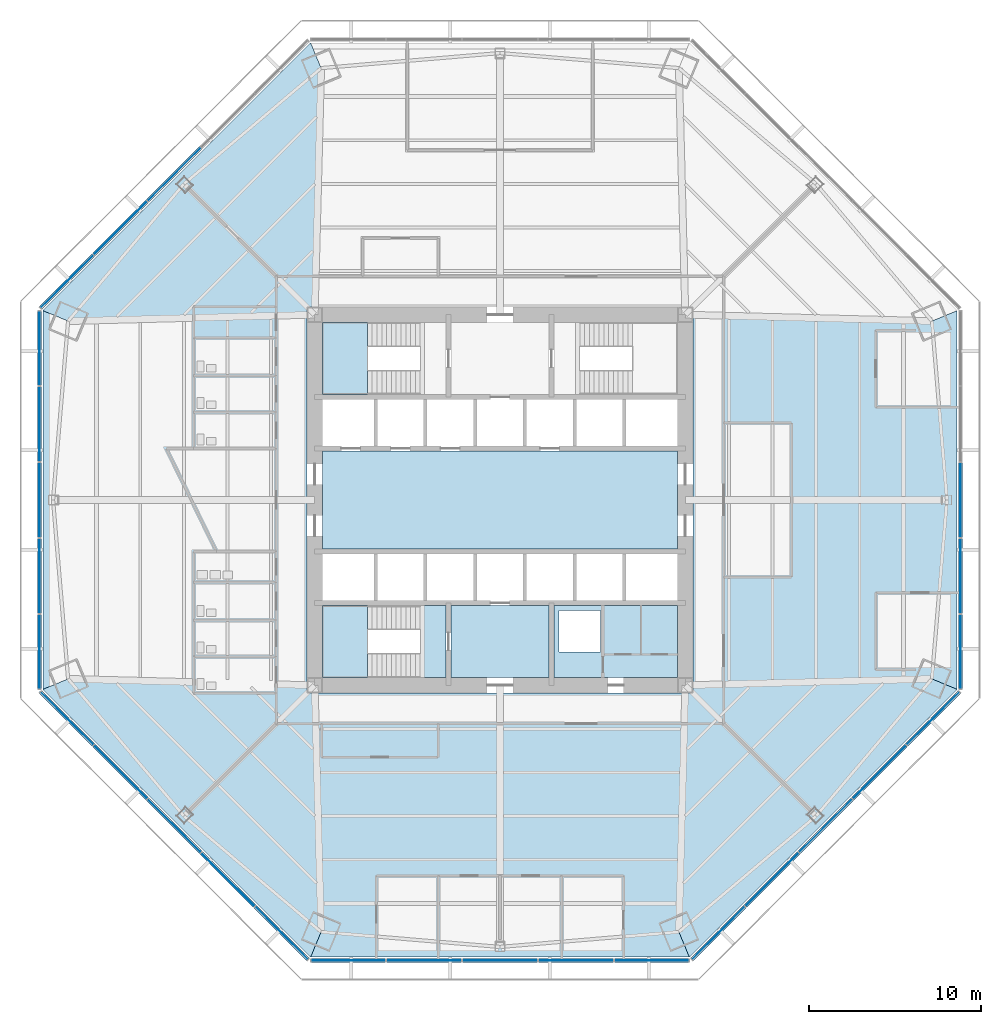
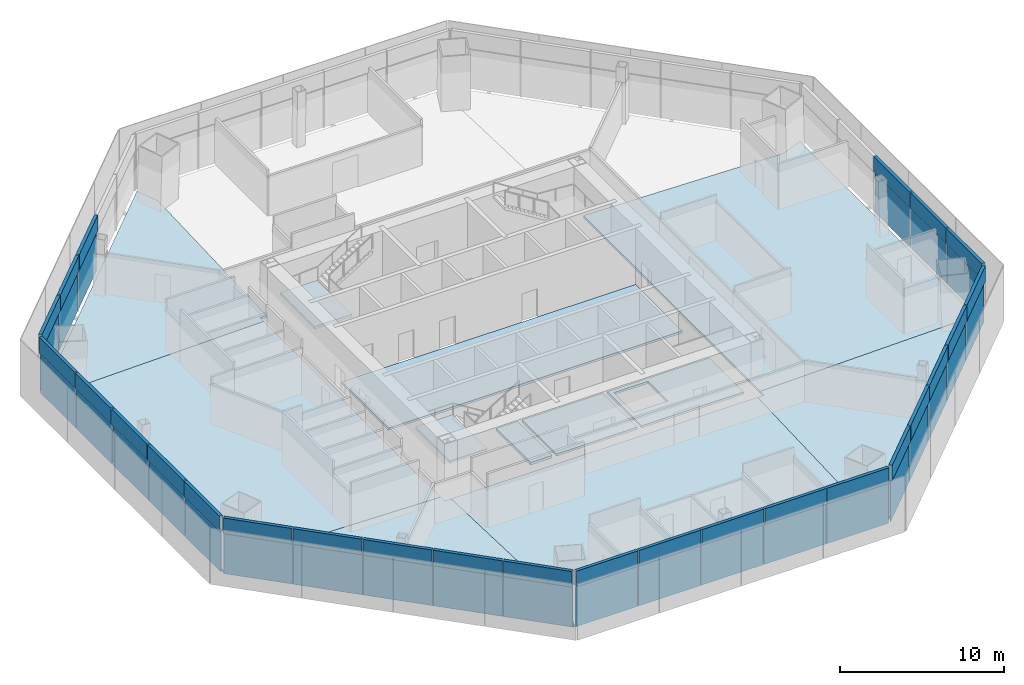
# One storey, part 6 of 14: 52 plates, 12 slabs, 8 elements without a shape of their own.
"""IFC4 building model written with IfcOpenShell, lengths in metres."""

from ifc_helpers import new_model, si_unit, direction, frame, origin, origin_2d, place, context, subcontext, project, spatial, polyline, rectangle, outline, extrude, source, transform, mapped, material, layer, layer_set, type_object, type_shapes, element, aggregate, save


model = new_model("IFC4")

# Units and contexts
model_context = context("Model", 3, precision=1e-05, world=origin(), true_north=direction((0.0, 1.0)))
body_context = subcontext(model_context, "Body", "Model", "MODEL_VIEW")
ifc_project = project(units=[si_unit("LENGTHUNIT", "METRE"), si_unit("AREAUNIT", "SQUARE_METRE"), si_unit("VOLUMEUNIT", "CUBIC_METRE"), si_unit("PLANEANGLEUNIT", "RADIAN"), si_unit("MASSUNIT", "GRAM", prefix="KILO")], contexts=[model_context])

# Site, building, storey
site_placement = place(None, origin())
site = spatial("IfcSite", under=ifc_project, at=site_placement, CompositionType="ELEMENT")
building_placement = place(site_placement, origin())
building = spatial("IfcBuilding", under=site, at=building_placement, Name="Mashrafa Tower", CompositionType="ELEMENT")
storey_placement = place(building_placement, frame((0.0, 0.0, 41.39990234375)))
storey = spatial("IfcBuildingStorey", under=building, at=storey_placement, Name="L08", CompositionType="ELEMENT", Elevation=41.39990234375)

# Slabs
ifc_material_1 = material(Name="Concrete C35/45", Category="concrete")
ifc_layer_1 = layer(ifc_material_1, 0.1650390625)
ifc_layer_set_1 = layer_set([ifc_layer_1], Name="Floor slab 165")
slab_type_1 = type_object("IfcSlabType", Name="Floor slab 165", PredefinedType="FLOOR", material=ifc_layer_set_1)
slab_1_placement = place(storey_placement, frame((0.0, 0.0, -0.164794921875)))
element("IfcSlab", 1, at=slab_1_placement, inside=storey, type_object=slab_type_1, Name="Floor slab L08 east bay", PredefinedType="FLOOR", context=body_context, shape_type="SweptSolid", body=[
    extrude(outline(polyline([(26.6435546875, 11.0361328125), (26.6435546875, -11.0361328125), (26.6435546875, -11.0361328125), (25.169921875, -10.42578125), (11.25, -10.788330078125), (11.25, 10.788330078125), (25.169921875, 10.42578125), (26.6435546875, 11.0361328125), (26.6435546875, 11.0361328125)])), origin(), (0.0, 0.0, 1.0), 0.164794921875),
])
slab_2_placement = place(storey_placement, frame((0.0, 0.0, -0.164794921875)))
element("IfcSlab", 2, at=slab_2_placement, inside=storey, type_object=slab_type_1, Name="Floor slab L08 north-west bay", PredefinedType="FLOOR", context=body_context, shape_type="SweptSolid", body=[
    extrude(outline(polyline([(-11.0361328125, 26.6435546875), (-10.42578125, 25.169921875), (-10.788330078125, 11.25), (-11.25, 11.25), (-11.25, 10.788330078125), (-25.169921875, 10.42578125), (-26.6435546875, 11.0361328125), (-11.0361328125, 26.6435546875)])), origin(), (0.0, 0.0, 1.0), 0.164794921875),
])
slab_3_placement = place(storey_placement, frame((0.0, 0.0, -0.164794921875)))
element("IfcSlab", 3, at=slab_3_placement, inside=storey, type_object=slab_type_1, Name="Floor slab L08 west bay", PredefinedType="FLOOR", context=body_context, shape_type="SweptSolid", body=[
    extrude(outline(polyline([(-26.6435546875, -11.0361328125), (-26.6435546875, 11.0361328125), (-26.6435546875, 11.0361328125), (-25.169921875, 10.42578125), (-11.25, 10.788330078125), (-11.25, -10.788330078125), (-25.169921875, -10.42578125), (-26.6435546875, -11.0361328125), (-26.6435546875, -11.0361328125)])), origin(), (0.0, 0.0, 1.0), 0.164794921875),
])
slab_4_placement = place(storey_placement, frame((0.0, 0.0, -0.164794921875)))
element("IfcSlab", 4, at=slab_4_placement, inside=storey, type_object=slab_type_1, Name="Floor slab L08 south-west bay", PredefinedType="FLOOR", context=body_context, shape_type="SweptSolid", body=[
    extrude(outline(polyline([(-26.6435546875, -11.0361328125), (-25.169921875, -10.42578125), (-11.25, -10.788330078125), (-11.25, -11.25), (-10.788330078125, -11.25), (-10.42578125, -25.169921875), (-11.0361328125, -26.6435546875), (-26.6435546875, -11.0361328125)])), origin(), (0.0, 0.0, 1.0), 0.164794921875),
])
slab_5_placement = place(storey_placement, frame((0.0, 0.0, -0.164794921875)))
element("IfcSlab", 5, at=slab_5_placement, inside=storey, type_object=slab_type_1, Name="Floor slab L08 south bay", PredefinedType="FLOOR", context=body_context, shape_type="SweptSolid", body=[
    extrude(outline(polyline([(-11.0361328125, -26.6435546875), (-11.0361328125, -26.6435546875), (-10.42578125, -25.169921875), (-10.788330078125, -11.25), (10.788330078125, -11.25), (10.42578125, -25.169921875), (11.0361328125, -26.6435546875), (11.0361328125, -26.6435546875), (-11.0361328125, -26.6435546875)])), origin(), (0.0, 0.0, 1.0), 0.164794921875),
])
slab_6_placement = place(storey_placement, frame((0.0, 0.0, -0.164794921875)))
element("IfcSlab", 6, at=slab_6_placement, inside=storey, type_object=slab_type_1, Name="Floor slab L08 south-east bay", PredefinedType="FLOOR", context=body_context, shape_type="SweptSolid", body=[
    extrude(outline(polyline([(11.0361328125, -26.6435546875), (10.42578125, -25.169921875), (10.788330078125, -11.25), (11.25, -11.25), (11.25, -10.788330078125), (25.169921875, -10.42578125), (26.6435546875, -11.0361328125), (11.0361328125, -26.6435546875)])), origin(), (0.0, 0.0, 1.0), 0.164794921875),
])
slab_7_placement = place(storey_placement, frame((0.0, 0.0, -0.164794921875)))
element("IfcSlab", 7, at=slab_7_placement, inside=storey, type_object=slab_type_1, Name="Core floor lift hall L08", PredefinedType="FLOOR", context=body_context, shape_type="SweptSolid", body=[
    extrude(outline(polyline([(-10.35009765625, 2.85009765625), (10.35009765625, 2.85009765625), (10.35009765625, -2.85009765625), (-10.35009765625, -2.85009765625), (-10.35009765625, 2.85009765625)])), origin(), (0.0, 0.0, 1.0), 0.164794921875),
])
slab_8_placement = place(storey_placement, frame((0.0, 0.0, -0.164794921875)))
element("IfcSlab", 8, at=slab_8_placement, inside=storey, type_object=slab_type_1, Name="Core floor riser and electrical band L08", PredefinedType="FLOOR", context=body_context, shape_type="SweptSolid", body=[
    extrude(outline(polyline([(10.35009765625, -6.14990234375), (10.35009765625, -10.35009765625), (3.14990234375, -10.35009765625), (3.14990234375, -6.14990234375), (10.35009765625, -6.14990234375)]), holes=[polyline([(3.449951171875, -8.85009765625), (5.85009765625, -8.85009765625), (5.85009765625, -6.449951171875), (3.449951171875, -6.449951171875), (3.449951171875, -8.85009765625)])]), origin(), (0.0, 0.0, 1.0), 0.164794921875),
])
slab_9_placement = place(storey_placement, frame((0.0, 0.0, -0.164794921875)))
element("IfcSlab", 9, at=slab_9_placement, inside=storey, type_object=slab_type_1, Name="Core floor fire-fighting lobby south L08", PredefinedType="FLOOR", context=body_context, shape_type="SweptSolid", body=[
    extrude(outline(polyline([(2.85009765625, -6.14990234375), (2.85009765625, -10.35009765625), (-2.85009765625, -10.35009765625), (-2.85009765625, -6.14990234375), (2.85009765625, -6.14990234375)])), origin(), (0.0, 0.0, 1.0), 0.164794921875),
])

# Stair, slab
ifc_material_2 = material(Name="Exit stair 1400")
stair_type = type_object("IfcStairType", Name="Exit stair 1400", PredefinedType="HALF_TURN_STAIR", material=ifc_material_2)
stair_1_placement = place(storey_placement, origin())
stair_1 = element("IfcStair", 10, at=stair_1_placement, inside=storey, type_object=stair_type, Name="Stair S1 L08", PredefinedType="HALF_TURN_STAIR")
ifc_material_3 = material(Name="Concrete C32/40", Category="concrete")
ifc_layer_2 = layer(ifc_material_3, 0.199951171875)
ifc_layer_set_2 = layer_set([ifc_layer_2], Name="Stair landing 200")
slab_type_2 = type_object("IfcSlabType", Name="Stair landing 200", PredefinedType="LANDING", material=ifc_layer_set_2)
slab_10_placement = place(storey_placement, frame((0.0, 0.0, 1.900146484375)))
slab_10 = element("IfcSlab", 11, at=slab_10_placement, type_object=slab_type_2, Name="S1 landing 2", PredefinedType="LANDING", context=body_context, shape_type="SweptSolid", body=[
    extrude(outline(polyline([(-10.35009765625, 6.14990234375), (-7.719970703125, 6.14990234375), (-7.719970703125, 10.35009765625), (-10.35009765625, 10.35009765625), (-10.35009765625, 6.14990234375)])), origin(), (0.0, 0.0, 1.0), 0.199951171875),
])
aggregate(stair_1, [slab_10])

# Stair, slabs
stair_2_placement = place(storey_placement, origin())
stair_2 = element("IfcStair", 12, at=stair_2_placement, inside=storey, type_object=stair_type, Name="Stair S3 L08", PredefinedType="HALF_TURN_STAIR")
slab_11_placement = place(storey_placement, frame((0.0, 0.0, -0.199951171875)))
slab_11 = element("IfcSlab", 13, at=slab_11_placement, type_object=slab_type_2, Name="S3 landing 1", PredefinedType="LANDING", context=body_context, shape_type="SweptSolid", body=[
    extrude(outline(polyline([(-4.659912109375, -10.35009765625), (-3.14990234375, -10.35009765625), (-3.14990234375, -6.14990234375), (-4.659912109375, -6.14990234375), (-4.659912109375, -10.35009765625)])), origin(), (0.0, 0.0, 1.0), 0.199951171875),
])
slab_12_placement = place(storey_placement, frame((0.0, 0.0, 1.900146484375)))
slab_12 = element("IfcSlab", 14, at=slab_12_placement, type_object=slab_type_2, Name="S3 landing 2", PredefinedType="LANDING", context=body_context, shape_type="SweptSolid", body=[
    extrude(outline(polyline([(-10.35009765625, -10.35009765625), (-7.719970703125, -10.35009765625), (-7.719970703125, -6.14990234375), (-10.35009765625, -6.14990234375), (-10.35009765625, -10.35009765625)])), origin(), (0.0, 0.0, 1.0), 0.199951171875),
])
aggregate(stair_2, [slab_11, slab_12])

# Curtain wall, plate
ifc_material_4 = material(Name="Unitised aluminium curtain wall", Category="aluminium")
curtain_wall_type = type_object("IfcCurtainWallType", Name="Office curtain wall, zone 1 CW-A 200 deep", PredefinedType="NOTDEFINED", material=ifc_material_4)
curtain_wall_1_placement = place(storey_placement, origin())
curtain_wall_1 = element("IfcCurtainWall", 15, at=curtain_wall_1_placement, inside=storey, type_object=curtain_wall_type, Name="Office curtain wall, zone 1 L08 east", PredefinedType="NOTDEFINED")
ifc_material_5 = material(Name="Insulated double glazing, low-e, neutral", Category="glass")
ifc_layer_3 = layer(ifc_material_5, 0.028076171875)
ifc_layer_set_3 = layer_set([ifc_layer_3], Name="Vision panel CW-A 28")
plate_type_1 = type_object("IfcPlateType", Name="Vision panel CW-A 28", PredefinedType="CURTAIN_PANEL", material=ifc_layer_set_3)
shared_shape_1 = source(origin(), body_context, "Body", "SweptSolid", [
    extrude(rectangle(XDim=4.32958984375, YDim=0.028076171875, at=origin_2d()), origin(), (0.0, 0.0, 1.0), 2.9599609375),
])
plate_1_placement = place(storey_placement, frame((26.843505859375, -8.837890625, 0.0), z_axis=(0.0, 0.0, 1.0), x_axis=(0.0, 1.0, 0.0)))
plate_1 = element("IfcPlate", 16, at=plate_1_placement, type_object=plate_type_1, Name="CW-A vision panel 1", PredefinedType="CURTAIN_PANEL", context=body_context, shape_type="MappedRepresentation", body=[
    mapped(shared_shape_1, transform((0.0, 0.0, 0.0))),
])

curtain_wall_2_placement = place(storey_placement, origin())
curtain_wall_2 = element("IfcCurtainWall", 17, at=curtain_wall_2_placement, inside=storey, type_object=curtain_wall_type, Name="Office curtain wall, zone 1 L08 north-west", PredefinedType="NOTDEFINED")
plate_2_placement = place(storey_placement, frame((-25.23046875, 12.73193359375, 0.0), z_axis=(0.0, 0.0, 1.0), x_axis=(-0.707106781187, -0.707106781187, 0.0)))
plate_2 = element("IfcPlate", 18, at=plate_2_placement, type_object=plate_type_1, Name="CW-A vision panel 5", PredefinedType="CURTAIN_PANEL", context=body_context, shape_type="MappedRepresentation", body=[
    mapped(shared_shape_1, transform((0.0, 0.0, 0.0))),
])

# Curtain wall, plates
curtain_wall_3_placement = place(storey_placement, origin())
curtain_wall_3 = element("IfcCurtainWall", 19, at=curtain_wall_3_placement, inside=storey, type_object=curtain_wall_type, Name="Office curtain wall, zone 1 L08 west", PredefinedType="NOTDEFINED")
plate_3_placement = place(storey_placement, frame((-26.843505859375, 8.837890625, 0.0), z_axis=(0.0, 0.0, 1.0), x_axis=(0.0, -1.0, 0.0)))
plate_3 = element("IfcPlate", 20, at=plate_3_placement, type_object=plate_type_1, Name="CW-A vision panel 1", PredefinedType="CURTAIN_PANEL", context=body_context, shape_type="MappedRepresentation", body=[
    mapped(shared_shape_1, transform((0.0, 0.0, 0.0))),
])
plate_4_placement = place(storey_placement, frame((-26.843505859375, -8.837890625, 0.0), z_axis=(0.0, 0.0, 1.0), x_axis=(0.0, -1.0, 0.0)))
plate_4 = element("IfcPlate", 21, at=plate_4_placement, type_object=plate_type_1, Name="CW-A vision panel 5", PredefinedType="CURTAIN_PANEL", context=body_context, shape_type="MappedRepresentation", body=[
    mapped(shared_shape_1, transform((0.0, 0.0, 0.0))),
])

curtain_wall_4_placement = place(storey_placement, origin())
curtain_wall_4 = element("IfcCurtainWall", 22, at=curtain_wall_4_placement, inside=storey, type_object=curtain_wall_type, Name="Office curtain wall, zone 1 L08 south-west", PredefinedType="NOTDEFINED")
plate_5_placement = place(storey_placement, frame((-25.23046875, -12.73193359375, 0.0), z_axis=(0.0, 0.0, 1.0), x_axis=(0.707106781187, -0.707106781187, 0.0)))
plate_5 = element("IfcPlate", 23, at=plate_5_placement, type_object=plate_type_1, Name="CW-A vision panel 1", PredefinedType="CURTAIN_PANEL", context=body_context, shape_type="MappedRepresentation", body=[
    mapped(shared_shape_1, transform((0.0, 0.0, 0.0))),
])
plate_6_placement = place(storey_placement, frame((-12.73193359375, -25.23046875, 0.0), z_axis=(0.0, 0.0, 1.0), x_axis=(0.707106781187, -0.707106781187, 0.0)))
plate_6 = element("IfcPlate", 24, at=plate_6_placement, type_object=plate_type_1, Name="CW-A vision panel 5", PredefinedType="CURTAIN_PANEL", context=body_context, shape_type="MappedRepresentation", body=[
    mapped(shared_shape_1, transform((0.0, 0.0, 0.0))),
])

curtain_wall_5_placement = place(storey_placement, origin())
curtain_wall_5 = element("IfcCurtainWall", 25, at=curtain_wall_5_placement, inside=storey, type_object=curtain_wall_type, Name="Office curtain wall, zone 1 L08 south", PredefinedType="NOTDEFINED")
plate_7_placement = place(storey_placement, frame((-8.837890625, -26.843505859375, 0.0), z_axis=(0.0, 0.0, 1.0), x_axis=(1.0, 0.0, 0.0)))
plate_7 = element("IfcPlate", 26, at=plate_7_placement, type_object=plate_type_1, Name="CW-A vision panel 1", PredefinedType="CURTAIN_PANEL", context=body_context, shape_type="MappedRepresentation", body=[
    mapped(shared_shape_1, transform((0.0, 0.0, 0.0))),
])
plate_8_placement = place(storey_placement, frame((8.837890625, -26.843505859375, 0.0), z_axis=(0.0, 0.0, 1.0), x_axis=(1.0, 0.0, 0.0)))
plate_8 = element("IfcPlate", 27, at=plate_8_placement, type_object=plate_type_1, Name="CW-A vision panel 5", PredefinedType="CURTAIN_PANEL", context=body_context, shape_type="MappedRepresentation", body=[
    mapped(shared_shape_1, transform((0.0, 0.0, 0.0))),
])

curtain_wall_6_placement = place(storey_placement, origin())
curtain_wall_6 = element("IfcCurtainWall", 28, at=curtain_wall_6_placement, inside=storey, type_object=curtain_wall_type, Name="Office curtain wall, zone 1 L08 south-east", PredefinedType="NOTDEFINED")
plate_9_placement = place(storey_placement, frame((12.73193359375, -25.23046875, 0.0), z_axis=(0.0, 0.0, 1.0), x_axis=(0.707106781187, 0.707106781187, 0.0)))
plate_9 = element("IfcPlate", 29, at=plate_9_placement, type_object=plate_type_1, Name="CW-A vision panel 1", PredefinedType="CURTAIN_PANEL", context=body_context, shape_type="MappedRepresentation", body=[
    mapped(shared_shape_1, transform((0.0, 0.0, 0.0))),
])
plate_10_placement = place(storey_placement, frame((25.23046875, -12.73193359375, 0.0), z_axis=(0.0, 0.0, 1.0), x_axis=(0.707106781187, 0.707106781187, 0.0)))
plate_10 = element("IfcPlate", 30, at=plate_10_placement, type_object=plate_type_1, Name="CW-A vision panel 5", PredefinedType="CURTAIN_PANEL", context=body_context, shape_type="MappedRepresentation", body=[
    mapped(shared_shape_1, transform((0.0, 0.0, 0.0))),
])

# Plate
ifc_material_6 = material(Name="Insulated aluminium spandrel panel", Category="aluminium")
ifc_layer_4 = layer(ifc_material_6, 0.219970703125)
ifc_layer_set_4 = layer_set([ifc_layer_4], Name="Spandrel panel CW-A 220")
plate_type_2 = type_object("IfcPlateType", Name="Spandrel panel CW-A 220", PredefinedType="CURTAIN_PANEL", material=ifc_layer_set_4)
shared_shape_2 = source(origin(), body_context, "Body", "SweptSolid", [
    extrude(rectangle(XDim=4.32958984375, YDim=0.219970703125, at=origin_2d()), origin(), (0.0, 0.0, 1.0), 1.159912109375),
])
plate_11_placement = place(storey_placement, frame((26.843505859375, -8.837890625, 3.0400390625), z_axis=(0.0, 0.0, 1.0), x_axis=(0.0, 1.0, 0.0)))
plate_11 = element("IfcPlate", 31, at=plate_11_placement, type_object=plate_type_2, Name="CW-A spandrel panel 1", PredefinedType="CURTAIN_PANEL", context=body_context, shape_type="MappedRepresentation", body=[
    mapped(shared_shape_2, transform((0.0, 0.0, 0.0))),
])

plate_12_placement = place(storey_placement, frame((-25.23046875, 12.73193359375, 3.0400390625), z_axis=(0.0, 0.0, 1.0), x_axis=(-0.707106781187, -0.707106781187, 0.0)))
plate_12 = element("IfcPlate", 32, at=plate_12_placement, type_object=plate_type_2, Name="CW-A spandrel panel 5", PredefinedType="CURTAIN_PANEL", context=body_context, shape_type="MappedRepresentation", body=[
    mapped(shared_shape_2, transform((0.0, 0.0, 0.0))),
])

plate_13_placement = place(storey_placement, frame((-26.843505859375, 8.837890625, 3.0400390625), z_axis=(0.0, 0.0, 1.0), x_axis=(0.0, -1.0, 0.0)))
plate_13 = element("IfcPlate", 33, at=plate_13_placement, type_object=plate_type_2, Name="CW-A spandrel panel 1", PredefinedType="CURTAIN_PANEL", context=body_context, shape_type="MappedRepresentation", body=[
    mapped(shared_shape_2, transform((0.0, 0.0, 0.0))),
])

plate_14_placement = place(storey_placement, frame((-26.843505859375, -8.837890625, 3.0400390625), z_axis=(0.0, 0.0, 1.0), x_axis=(0.0, -1.0, 0.0)))
plate_14 = element("IfcPlate", 34, at=plate_14_placement, type_object=plate_type_2, Name="CW-A spandrel panel 5", PredefinedType="CURTAIN_PANEL", context=body_context, shape_type="MappedRepresentation", body=[
    mapped(shared_shape_2, transform((0.0, 0.0, 0.0))),
])

plate_15_placement = place(storey_placement, frame((-25.23046875, -12.73193359375, 3.0400390625), z_axis=(0.0, 0.0, 1.0), x_axis=(0.707106781187, -0.707106781187, 0.0)))
plate_15 = element("IfcPlate", 35, at=plate_15_placement, type_object=plate_type_2, Name="CW-A spandrel panel 1", PredefinedType="CURTAIN_PANEL", context=body_context, shape_type="MappedRepresentation", body=[
    mapped(shared_shape_2, transform((0.0, 0.0, 0.0))),
])

plate_16_placement = place(storey_placement, frame((-12.73193359375, -25.23046875, 3.0400390625), z_axis=(0.0, 0.0, 1.0), x_axis=(0.707106781187, -0.707106781187, 0.0)))
plate_16 = element("IfcPlate", 36, at=plate_16_placement, type_object=plate_type_2, Name="CW-A spandrel panel 5", PredefinedType="CURTAIN_PANEL", context=body_context, shape_type="MappedRepresentation", body=[
    mapped(shared_shape_2, transform((0.0, 0.0, 0.0))),
])

plate_17_placement = place(storey_placement, frame((-8.837890625, -26.843505859375, 3.0400390625), z_axis=(0.0, 0.0, 1.0), x_axis=(1.0, 0.0, 0.0)))
plate_17 = element("IfcPlate", 37, at=plate_17_placement, type_object=plate_type_2, Name="CW-A spandrel panel 1", PredefinedType="CURTAIN_PANEL", context=body_context, shape_type="MappedRepresentation", body=[
    mapped(shared_shape_2, transform((0.0, 0.0, 0.0))),
])

plate_18_placement = place(storey_placement, frame((8.837890625, -26.843505859375, 3.0400390625), z_axis=(0.0, 0.0, 1.0), x_axis=(1.0, 0.0, 0.0)))
plate_18 = element("IfcPlate", 38, at=plate_18_placement, type_object=plate_type_2, Name="CW-A spandrel panel 5", PredefinedType="CURTAIN_PANEL", context=body_context, shape_type="MappedRepresentation", body=[
    mapped(shared_shape_2, transform((0.0, 0.0, 0.0))),
])

plate_19_placement = place(storey_placement, frame((12.73193359375, -25.23046875, 3.0400390625), z_axis=(0.0, 0.0, 1.0), x_axis=(0.707106781187, 0.707106781187, 0.0)))
plate_19 = element("IfcPlate", 39, at=plate_19_placement, type_object=plate_type_2, Name="CW-A spandrel panel 1", PredefinedType="CURTAIN_PANEL", context=body_context, shape_type="MappedRepresentation", body=[
    mapped(shared_shape_2, transform((0.0, 0.0, 0.0))),
])

plate_20_placement = place(storey_placement, frame((25.23046875, -12.73193359375, 3.0400390625), z_axis=(0.0, 0.0, 1.0), x_axis=(0.707106781187, 0.707106781187, 0.0)))
plate_20 = element("IfcPlate", 40, at=plate_20_placement, type_object=plate_type_2, Name="CW-A spandrel panel 5", PredefinedType="CURTAIN_PANEL", context=body_context, shape_type="MappedRepresentation", body=[
    mapped(shared_shape_2, transform((0.0, 0.0, 0.0))),
])

shared_shape_3 = source(origin(), body_context, "Body", "SweptSolid", [
    extrude(rectangle(XDim=4.362060546875, YDim=0.028076171875, at=origin_2d()), origin(), (0.0, 0.0, 1.0), 2.9599609375),
])
type_shapes(plate_type_1, [shared_shape_1, shared_shape_3])
plate_21_placement = place(storey_placement, frame((26.843505859375, -4.427001953125, 0.0), z_axis=(0.0, 0.0, 1.0), x_axis=(0.0, 1.0, 0.0)))
plate_21 = element("IfcPlate", 41, at=plate_21_placement, type_object=plate_type_1, Name="CW-A vision panel 2", PredefinedType="CURTAIN_PANEL", context=body_context, shape_type="MappedRepresentation", body=[
    mapped(shared_shape_3, transform((0.0, 0.0, 0.0))),
])

plate_22_placement = place(storey_placement, frame((26.843505859375, 0.0, 0.0), z_axis=(0.0, 0.0, 1.0), x_axis=(0.0, 1.0, 0.0)))
plate_22 = element("IfcPlate", 42, at=plate_22_placement, type_object=plate_type_1, Name="CW-A vision panel 3", PredefinedType="CURTAIN_PANEL", context=body_context, shape_type="MappedRepresentation", body=[
    mapped(shared_shape_3, transform((0.0, 0.0, 0.0))),
])

plate_23_placement = place(storey_placement, frame((-18.981201171875, 18.981201171875, 0.0), z_axis=(0.0, 0.0, 1.0), x_axis=(-0.707106781187, -0.707106781187, 0.0)))
plate_23 = element("IfcPlate", 43, at=plate_23_placement, type_object=plate_type_1, Name="CW-A vision panel 3", PredefinedType="CURTAIN_PANEL", context=body_context, shape_type="MappedRepresentation", body=[
    mapped(shared_shape_3, transform((0.0, 0.0, 0.0))),
])

plate_24_placement = place(storey_placement, frame((-22.111572265625, 15.850830078125, 0.0), z_axis=(0.0, 0.0, 1.0), x_axis=(-0.707106781187, -0.707106781187, 0.0)))
plate_24 = element("IfcPlate", 44, at=plate_24_placement, type_object=plate_type_1, Name="CW-A vision panel 4", PredefinedType="CURTAIN_PANEL", context=body_context, shape_type="MappedRepresentation", body=[
    mapped(shared_shape_3, transform((0.0, 0.0, 0.0))),
])

plate_25_placement = place(storey_placement, frame((-26.843505859375, 4.427001953125, 0.0), z_axis=(0.0, 0.0, 1.0), x_axis=(0.0, -1.0, 0.0)))
plate_25 = element("IfcPlate", 45, at=plate_25_placement, type_object=plate_type_1, Name="CW-A vision panel 2", PredefinedType="CURTAIN_PANEL", context=body_context, shape_type="MappedRepresentation", body=[
    mapped(shared_shape_3, transform((0.0, 0.0, 0.0))),
])

plate_26_placement = place(storey_placement, frame((-26.843505859375, 0.0, 0.0), z_axis=(0.0, 0.0, 1.0), x_axis=(0.0, -1.0, 0.0)))
plate_26 = element("IfcPlate", 46, at=plate_26_placement, type_object=plate_type_1, Name="CW-A vision panel 3", PredefinedType="CURTAIN_PANEL", context=body_context, shape_type="MappedRepresentation", body=[
    mapped(shared_shape_3, transform((0.0, 0.0, 0.0))),
])

plate_27_placement = place(storey_placement, frame((-26.843505859375, -4.427001953125, 0.0), z_axis=(0.0, 0.0, 1.0), x_axis=(0.0, -1.0, 0.0)))
plate_27 = element("IfcPlate", 47, at=plate_27_placement, type_object=plate_type_1, Name="CW-A vision panel 4", PredefinedType="CURTAIN_PANEL", context=body_context, shape_type="MappedRepresentation", body=[
    mapped(shared_shape_3, transform((0.0, 0.0, 0.0))),
])

plate_28_placement = place(storey_placement, frame((-22.111572265625, -15.850830078125, 0.0), z_axis=(0.0, 0.0, 1.0), x_axis=(0.707106781187, -0.707106781187, 0.0)))
plate_28 = element("IfcPlate", 48, at=plate_28_placement, type_object=plate_type_1, Name="CW-A vision panel 2", PredefinedType="CURTAIN_PANEL", context=body_context, shape_type="MappedRepresentation", body=[
    mapped(shared_shape_3, transform((0.0, 0.0, 0.0))),
])

plate_29_placement = place(storey_placement, frame((-18.981201171875, -18.981201171875, 0.0), z_axis=(0.0, 0.0, 1.0), x_axis=(0.707106781187, -0.707106781187, 0.0)))
plate_29 = element("IfcPlate", 49, at=plate_29_placement, type_object=plate_type_1, Name="CW-A vision panel 3", PredefinedType="CURTAIN_PANEL", context=body_context, shape_type="MappedRepresentation", body=[
    mapped(shared_shape_3, transform((0.0, 0.0, 0.0))),
])

plate_30_placement = place(storey_placement, frame((-15.850830078125, -22.111572265625, 0.0), z_axis=(0.0, 0.0, 1.0), x_axis=(0.707106781187, -0.707106781187, 0.0)))
plate_30 = element("IfcPlate", 50, at=plate_30_placement, type_object=plate_type_1, Name="CW-A vision panel 4", PredefinedType="CURTAIN_PANEL", context=body_context, shape_type="MappedRepresentation", body=[
    mapped(shared_shape_3, transform((0.0, 0.0, 0.0))),
])

plate_31_placement = place(storey_placement, frame((-4.427001953125, -26.843505859375, 0.0), z_axis=(0.0, 0.0, 1.0), x_axis=(1.0, 0.0, 0.0)))
plate_31 = element("IfcPlate", 51, at=plate_31_placement, type_object=plate_type_1, Name="CW-A vision panel 2", PredefinedType="CURTAIN_PANEL", context=body_context, shape_type="MappedRepresentation", body=[
    mapped(shared_shape_3, transform((0.0, 0.0, 0.0))),
])

plate_32_placement = place(storey_placement, frame((0.0, -26.843505859375, 0.0), z_axis=(0.0, 0.0, 1.0), x_axis=(1.0, 0.0, 0.0)))
plate_32 = element("IfcPlate", 52, at=plate_32_placement, type_object=plate_type_1, Name="CW-A vision panel 3", PredefinedType="CURTAIN_PANEL", context=body_context, shape_type="MappedRepresentation", body=[
    mapped(shared_shape_3, transform((0.0, 0.0, 0.0))),
])

plate_33_placement = place(storey_placement, frame((4.427001953125, -26.843505859375, 0.0), z_axis=(0.0, 0.0, 1.0), x_axis=(1.0, 0.0, 0.0)))
plate_33 = element("IfcPlate", 53, at=plate_33_placement, type_object=plate_type_1, Name="CW-A vision panel 4", PredefinedType="CURTAIN_PANEL", context=body_context, shape_type="MappedRepresentation", body=[
    mapped(shared_shape_3, transform((0.0, 0.0, 0.0))),
])

plate_34_placement = place(storey_placement, frame((15.850830078125, -22.111572265625, 0.0), z_axis=(0.0, 0.0, 1.0), x_axis=(0.707106781187, 0.707106781187, 0.0)))
plate_34 = element("IfcPlate", 54, at=plate_34_placement, type_object=plate_type_1, Name="CW-A vision panel 2", PredefinedType="CURTAIN_PANEL", context=body_context, shape_type="MappedRepresentation", body=[
    mapped(shared_shape_3, transform((0.0, 0.0, 0.0))),
])

plate_35_placement = place(storey_placement, frame((18.981201171875, -18.981201171875, 0.0), z_axis=(0.0, 0.0, 1.0), x_axis=(0.707106781187, 0.707106781187, 0.0)))
plate_35 = element("IfcPlate", 55, at=plate_35_placement, type_object=plate_type_1, Name="CW-A vision panel 3", PredefinedType="CURTAIN_PANEL", context=body_context, shape_type="MappedRepresentation", body=[
    mapped(shared_shape_3, transform((0.0, 0.0, 0.0))),
])

plate_36_placement = place(storey_placement, frame((22.111572265625, -15.850830078125, 0.0), z_axis=(0.0, 0.0, 1.0), x_axis=(0.707106781187, 0.707106781187, 0.0)))
plate_36 = element("IfcPlate", 56, at=plate_36_placement, type_object=plate_type_1, Name="CW-A vision panel 4", PredefinedType="CURTAIN_PANEL", context=body_context, shape_type="MappedRepresentation", body=[
    mapped(shared_shape_3, transform((0.0, 0.0, 0.0))),
])

shared_shape_4 = source(origin(), body_context, "Body", "SweptSolid", [
    extrude(rectangle(XDim=4.362060546875, YDim=0.219970703125, at=origin_2d()), origin(), (0.0, 0.0, 1.0), 1.159912109375),
])
type_shapes(plate_type_2, [shared_shape_2, shared_shape_4])
plate_37_placement = place(storey_placement, frame((26.843505859375, -4.427001953125, 3.0400390625), z_axis=(0.0, 0.0, 1.0), x_axis=(0.0, 1.0, 0.0)))
plate_37 = element("IfcPlate", 57, at=plate_37_placement, type_object=plate_type_2, Name="CW-A spandrel panel 2", PredefinedType="CURTAIN_PANEL", context=body_context, shape_type="MappedRepresentation", body=[
    mapped(shared_shape_4, transform((0.0, 0.0, 0.0))),
])

plate_38_placement = place(storey_placement, frame((26.843505859375, 0.0, 3.0400390625), z_axis=(0.0, 0.0, 1.0), x_axis=(0.0, 1.0, 0.0)))
plate_38 = element("IfcPlate", 58, at=plate_38_placement, type_object=plate_type_2, Name="CW-A spandrel panel 3", PredefinedType="CURTAIN_PANEL", context=body_context, shape_type="MappedRepresentation", body=[
    mapped(shared_shape_4, transform((0.0, 0.0, 0.0))),
])

aggregate(curtain_wall_1, [plate_1, plate_11, plate_21, plate_37, plate_22, plate_38])

plate_39_placement = place(storey_placement, frame((-18.981201171875, 18.981201171875, 3.0400390625), z_axis=(0.0, 0.0, 1.0), x_axis=(-0.707106781187, -0.707106781187, 0.0)))
plate_39 = element("IfcPlate", 59, at=plate_39_placement, type_object=plate_type_2, Name="CW-A spandrel panel 3", PredefinedType="CURTAIN_PANEL", context=body_context, shape_type="MappedRepresentation", body=[
    mapped(shared_shape_4, transform((0.0, 0.0, 0.0))),
])

plate_40_placement = place(storey_placement, frame((-22.111572265625, 15.850830078125, 3.0400390625), z_axis=(0.0, 0.0, 1.0), x_axis=(-0.707106781187, -0.707106781187, 0.0)))
plate_40 = element("IfcPlate", 60, at=plate_40_placement, type_object=plate_type_2, Name="CW-A spandrel panel 4", PredefinedType="CURTAIN_PANEL", context=body_context, shape_type="MappedRepresentation", body=[
    mapped(shared_shape_4, transform((0.0, 0.0, 0.0))),
])

aggregate(curtain_wall_2, [plate_23, plate_39, plate_24, plate_40, plate_2, plate_12])

plate_41_placement = place(storey_placement, frame((-26.843505859375, 4.427001953125, 3.0400390625), z_axis=(0.0, 0.0, 1.0), x_axis=(0.0, -1.0, 0.0)))
plate_41 = element("IfcPlate", 61, at=plate_41_placement, type_object=plate_type_2, Name="CW-A spandrel panel 2", PredefinedType="CURTAIN_PANEL", context=body_context, shape_type="MappedRepresentation", body=[
    mapped(shared_shape_4, transform((0.0, 0.0, 0.0))),
])

plate_42_placement = place(storey_placement, frame((-26.843505859375, 0.0, 3.0400390625), z_axis=(0.0, 0.0, 1.0), x_axis=(0.0, -1.0, 0.0)))
plate_42 = element("IfcPlate", 62, at=plate_42_placement, type_object=plate_type_2, Name="CW-A spandrel panel 3", PredefinedType="CURTAIN_PANEL", context=body_context, shape_type="MappedRepresentation", body=[
    mapped(shared_shape_4, transform((0.0, 0.0, 0.0))),
])

plate_43_placement = place(storey_placement, frame((-26.843505859375, -4.427001953125, 3.0400390625), z_axis=(0.0, 0.0, 1.0), x_axis=(0.0, -1.0, 0.0)))
plate_43 = element("IfcPlate", 63, at=plate_43_placement, type_object=plate_type_2, Name="CW-A spandrel panel 4", PredefinedType="CURTAIN_PANEL", context=body_context, shape_type="MappedRepresentation", body=[
    mapped(shared_shape_4, transform((0.0, 0.0, 0.0))),
])

aggregate(curtain_wall_3, [plate_3, plate_13, plate_25, plate_41, plate_26, plate_42, plate_27, plate_43, plate_4, plate_14])

plate_44_placement = place(storey_placement, frame((-22.111572265625, -15.850830078125, 3.0400390625), z_axis=(0.0, 0.0, 1.0), x_axis=(0.707106781187, -0.707106781187, 0.0)))
plate_44 = element("IfcPlate", 64, at=plate_44_placement, type_object=plate_type_2, Name="CW-A spandrel panel 2", PredefinedType="CURTAIN_PANEL", context=body_context, shape_type="MappedRepresentation", body=[
    mapped(shared_shape_4, transform((0.0, 0.0, 0.0))),
])

plate_45_placement = place(storey_placement, frame((-18.981201171875, -18.981201171875, 3.0400390625), z_axis=(0.0, 0.0, 1.0), x_axis=(0.707106781187, -0.707106781187, 0.0)))
plate_45 = element("IfcPlate", 65, at=plate_45_placement, type_object=plate_type_2, Name="CW-A spandrel panel 3", PredefinedType="CURTAIN_PANEL", context=body_context, shape_type="MappedRepresentation", body=[
    mapped(shared_shape_4, transform((0.0, 0.0, 0.0))),
])

plate_46_placement = place(storey_placement, frame((-15.850830078125, -22.111572265625, 3.0400390625), z_axis=(0.0, 0.0, 1.0), x_axis=(0.707106781187, -0.707106781187, 0.0)))
plate_46 = element("IfcPlate", 66, at=plate_46_placement, type_object=plate_type_2, Name="CW-A spandrel panel 4", PredefinedType="CURTAIN_PANEL", context=body_context, shape_type="MappedRepresentation", body=[
    mapped(shared_shape_4, transform((0.0, 0.0, 0.0))),
])

aggregate(curtain_wall_4, [plate_5, plate_15, plate_28, plate_44, plate_29, plate_45, plate_30, plate_46, plate_6, plate_16])

plate_47_placement = place(storey_placement, frame((-4.427001953125, -26.843505859375, 3.0400390625), z_axis=(0.0, 0.0, 1.0), x_axis=(1.0, 0.0, 0.0)))
plate_47 = element("IfcPlate", 67, at=plate_47_placement, type_object=plate_type_2, Name="CW-A spandrel panel 2", PredefinedType="CURTAIN_PANEL", context=body_context, shape_type="MappedRepresentation", body=[
    mapped(shared_shape_4, transform((0.0, 0.0, 0.0))),
])

plate_48_placement = place(storey_placement, frame((0.0, -26.843505859375, 3.0400390625), z_axis=(0.0, 0.0, 1.0), x_axis=(1.0, 0.0, 0.0)))
plate_48 = element("IfcPlate", 68, at=plate_48_placement, type_object=plate_type_2, Name="CW-A spandrel panel 3", PredefinedType="CURTAIN_PANEL", context=body_context, shape_type="MappedRepresentation", body=[
    mapped(shared_shape_4, transform((0.0, 0.0, 0.0))),
])

plate_49_placement = place(storey_placement, frame((4.427001953125, -26.843505859375, 3.0400390625), z_axis=(0.0, 0.0, 1.0), x_axis=(1.0, 0.0, 0.0)))
plate_49 = element("IfcPlate", 69, at=plate_49_placement, type_object=plate_type_2, Name="CW-A spandrel panel 4", PredefinedType="CURTAIN_PANEL", context=body_context, shape_type="MappedRepresentation", body=[
    mapped(shared_shape_4, transform((0.0, 0.0, 0.0))),
])

aggregate(curtain_wall_5, [plate_7, plate_17, plate_31, plate_47, plate_32, plate_48, plate_33, plate_49, plate_8, plate_18])

plate_50_placement = place(storey_placement, frame((15.850830078125, -22.111572265625, 3.0400390625), z_axis=(0.0, 0.0, 1.0), x_axis=(0.707106781187, 0.707106781187, 0.0)))
plate_50 = element("IfcPlate", 70, at=plate_50_placement, type_object=plate_type_2, Name="CW-A spandrel panel 2", PredefinedType="CURTAIN_PANEL", context=body_context, shape_type="MappedRepresentation", body=[
    mapped(shared_shape_4, transform((0.0, 0.0, 0.0))),
])

plate_51_placement = place(storey_placement, frame((18.981201171875, -18.981201171875, 3.0400390625), z_axis=(0.0, 0.0, 1.0), x_axis=(0.707106781187, 0.707106781187, 0.0)))
plate_51 = element("IfcPlate", 71, at=plate_51_placement, type_object=plate_type_2, Name="CW-A spandrel panel 3", PredefinedType="CURTAIN_PANEL", context=body_context, shape_type="MappedRepresentation", body=[
    mapped(shared_shape_4, transform((0.0, 0.0, 0.0))),
])

plate_52_placement = place(storey_placement, frame((22.111572265625, -15.850830078125, 3.0400390625), z_axis=(0.0, 0.0, 1.0), x_axis=(0.707106781187, 0.707106781187, 0.0)))
plate_52 = element("IfcPlate", 72, at=plate_52_placement, type_object=plate_type_2, Name="CW-A spandrel panel 4", PredefinedType="CURTAIN_PANEL", context=body_context, shape_type="MappedRepresentation", body=[
    mapped(shared_shape_4, transform((0.0, 0.0, 0.0))),
])

aggregate(curtain_wall_6, [plate_9, plate_19, plate_34, plate_50, plate_35, plate_51, plate_36, plate_52, plate_10, plate_20])

save(model, "model.ifc")
